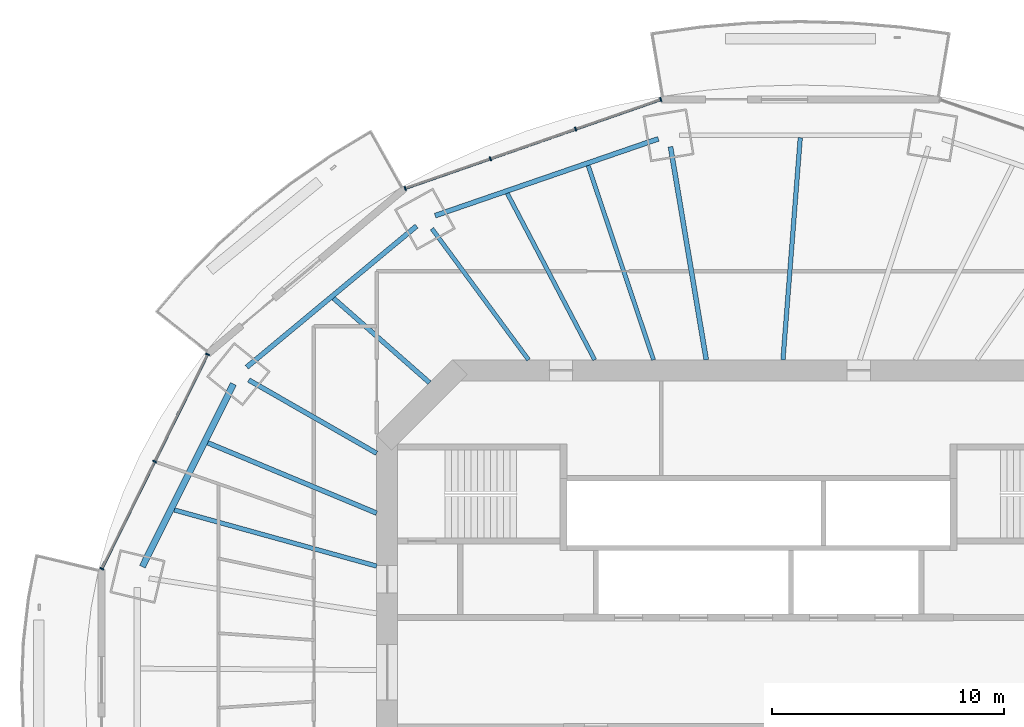
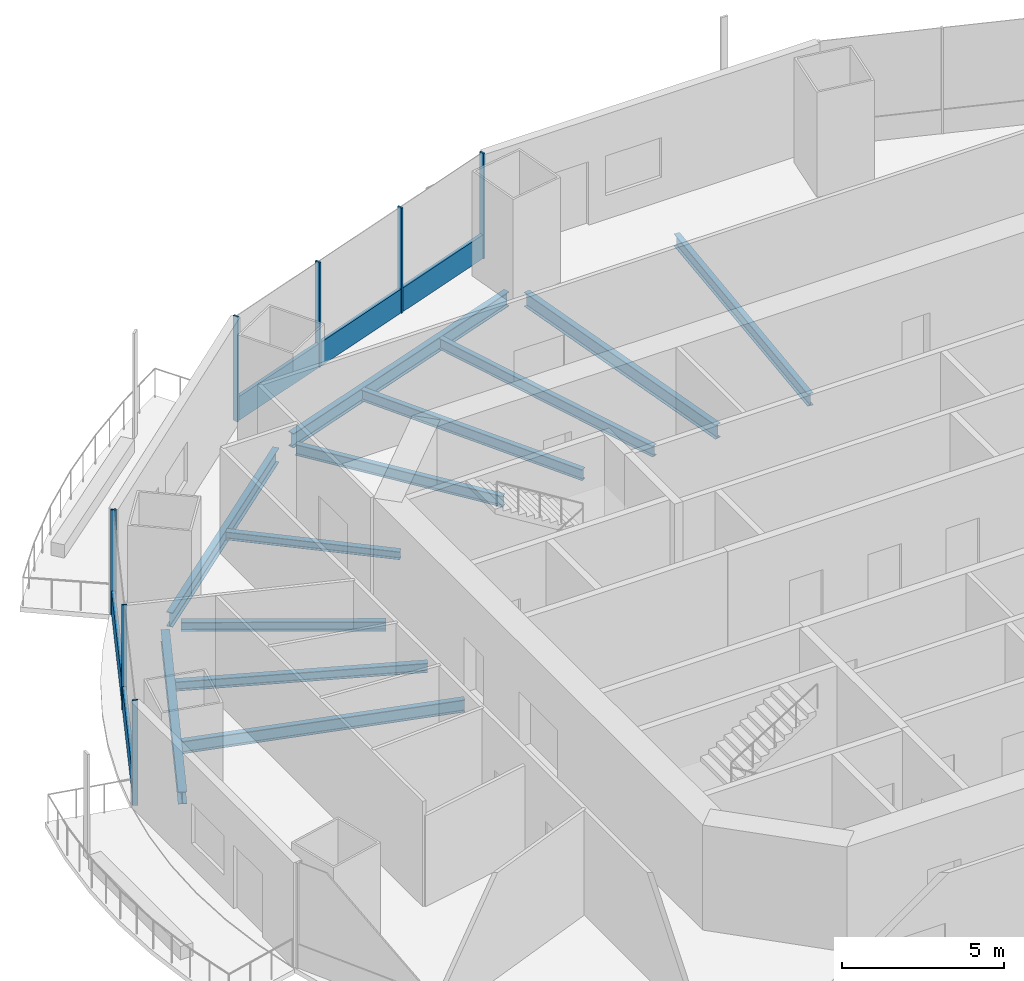
# One storey, part 6 of 19: 12 beams, 9 members, 2 elements without a shape of their own.
"""IFC4 building model written with IfcOpenShell, lengths in metres."""

import ifcopenshell
import ifcopenshell.guid

model = None  # the IFC model being written
_history = None  # IfcOwnerHistory: only IFC2X3 demands one
_inside = {}  # id of a spatial element -> (the spatial element, [elements in it])
_under = {}  # id of a project, library or spatial element -> (it, [spatial elements below it])
_declared = {}  # id of a project -> (the project, [libraries it declares])
_typed = {}  # id of a type object -> (the type object, [elements of that type])
_made_of = {}  # id of a material, layer set ... -> (it, [elements and type objects made of it])


def new_model(schema):
    """Start an empty IFC model of exactly this schema.

    Asked for "IFC4X3", IfcOpenShell would pick the latest addendum, in which some entities
    have other attributes; the version numbers below select the first issue.
    IFC2X3 requires an IfcOwnerHistory on every rooted entity: one is made here for all.
    """
    global model, _history
    if schema == "IFC4X3":
        model = ifcopenshell.file(schema_version=(4, 3, 0, 0))
    else:
        model = ifcopenshell.file(schema=schema)
    _inside.clear()
    _under.clear()
    _declared.clear()
    _typed.clear()
    _made_of.clear()
    _history = None
    if model.schema == "IFC2X3":
        org = make("IfcOrganization", Name="unknown")
        user = make(
            "IfcPersonAndOrganization",
            ThePerson=make("IfcPerson", FamilyName="unknown"),
            TheOrganization=org,
        )
        app = make(
            "IfcApplication",
            ApplicationDeveloper=org,
            Version="unknown",
            ApplicationFullName="unknown",
            ApplicationIdentifier="unknown",
        )
        _history = make(
            "IfcOwnerHistory",
            OwningUser=user,
            OwningApplication=app,
            ChangeAction="ADDED",
            CreationDate=0,
        )
    return model


def make(cls, **values):
    """One entity of the class cls with the attributes given. An attribute that is None is left unset."""
    return model.create_entity(
        cls, **{name: value for name, value in values.items() if value is not None}
    )


def rooted(cls, **values):
    """An entity with a GlobalId (a new one), such as an element, a storey or a relation."""
    return make(cls, GlobalId=ifcopenshell.guid.new(), OwnerHistory=_history, **values)


def si_unit(unit_type, name, prefix=None):
    """IfcSIUnit, for example si_unit("LENGTHUNIT", "METRE", prefix="MILLI")."""
    return make("IfcSIUnit", UnitType=unit_type, Prefix=prefix, Name=name)


def assignment(units):
    """IfcUnitAssignment: the units of a project."""
    return None if units is None else make("IfcUnitAssignment", Units=units)


def point(xyz):
    """IfcCartesianPoint."""
    return None if xyz is None else make("IfcCartesianPoint", Coordinates=xyz)


def direction(xyz):
    """IfcDirection."""
    return None if xyz is None else make("IfcDirection", DirectionRatios=xyz)


def frame(location, z_axis=None, x_axis=None):
    """IfcAxis2Placement3D, a coordinate frame: its origin and axes. An axis left out is left unset."""
    return make(
        "IfcAxis2Placement3D",
        Location=point(location),
        Axis=direction(z_axis),
        RefDirection=direction(x_axis),
    )


def frame_2d(location, x_axis=None):
    """IfcAxis2Placement2D, a coordinate frame in the plane: its origin and x axis."""
    return make(
        "IfcAxis2Placement2D", Location=point(location), RefDirection=direction(x_axis)
    )


def origin():
    """The frame at (0, 0, 0) with its axes left unset."""
    return frame((0.0, 0.0, 0.0))


def origin_2d():
    """The frame at (0, 0) in the plane with its x axis left unset."""
    return frame_2d((0.0, 0.0))


def place(relative_to, where):
    """IfcLocalPlacement: puts the frame where relative to a parent placement (None: the world)."""
    return make(
        "IfcLocalPlacement", PlacementRelTo=relative_to, RelativePlacement=where
    )


def context(
    kind, dimensions, precision=None, world=None, true_north=None, identifier=None
):
    """IfcGeometricRepresentationContext, for example the 3D "Model" context."""
    return make(
        "IfcGeometricRepresentationContext",
        ContextIdentifier=identifier,
        ContextType=kind,
        CoordinateSpaceDimension=dimensions,
        Precision=precision,
        WorldCoordinateSystem=world,
        TrueNorth=true_north,
    )


def subcontext(parent, identifier, kind, view, scale=None):
    """IfcGeometricRepresentationSubContext, for example "Body" below "Model"."""
    return make(
        "IfcGeometricRepresentationSubContext",
        ContextIdentifier=identifier,
        ContextType=kind,
        ParentContext=parent,
        TargetScale=scale,
        TargetView=view,
    )


def project(units=None, contexts=None):
    """IfcProject with its units and contexts."""
    return rooted(
        "IfcProject",
        Name="project",
        RepresentationContexts=contexts,
        UnitsInContext=assignment(units),
    )


def spatial(cls, under=None, at=None, **own):
    """A site, building, storey or space (cls), placed at a placement, below another one or the project."""
    s = rooted(cls, ObjectPlacement=at, **own)
    if under is not None:
        _under.setdefault(under.id(), (under, []))[1].append(s)
    return s


def profile(cls, at=None, kind="AREA", **sizes):
    """A parametric profile (cls). Its sizes go by their IFC names, for example OverallWidth=200.0."""
    return make(cls, ProfileType=kind, Position=at, **sizes)


def rectangle(**sizes):
    """IfcRectangleProfileDef."""
    return profile("IfcRectangleProfileDef", **sizes)


def i_section(**sizes):
    """IfcIShapeProfileDef."""
    return profile("IfcIShapeProfileDef", **sizes)


def extrude(swept, where, along, depth):
    """IfcExtrudedAreaSolid: the profile swept, set in the frame where, extruded along a direction by depth."""
    return make(
        "IfcExtrudedAreaSolid",
        SweptArea=swept,
        Position=where,
        ExtrudedDirection=direction(along),
        Depth=depth,
    )


def shape(context_of_items, identifier, shape_type, items):
    """IfcShapeRepresentation: the items that make up one representation, for example the "Body"."""
    return make(
        "IfcShapeRepresentation",
        ContextOfItems=context_of_items,
        RepresentationIdentifier=identifier,
        RepresentationType=shape_type,
        Items=items,
    )


def material(Name=None, Category=None):
    """IfcMaterial."""
    return make("IfcMaterial", Name=Name, Category=Category)


def material_profile(
    of_material, cross_section, Name=None, Category=None, Priority=None
):
    """IfcMaterialProfile: a cross section and its material."""
    return make(
        "IfcMaterialProfile",
        Name=Name,
        Material=of_material,
        Profile=cross_section,
        Priority=Priority,
        Category=Category,
    )


def profile_set(profiles, Name=None, composite=None):
    """IfcMaterialProfileSet."""
    return make(
        "IfcMaterialProfileSet",
        Name=Name,
        MaterialProfiles=profiles,
        CompositeProfile=composite,
    )


def made_of(thing, what):
    """Note that an element or type object is made of a material, layer set ...; save() writes the relation."""
    if what is not None:
        _made_of.setdefault(what.id(), (what, []))[1].append(thing)
    return thing


def type_object(cls, material=None, **own):
    """A type object (cls), such as IfcWallType, which elements share."""
    return made_of(rooted(cls, **own), material)


def element(
    cls,
    number,
    at=None,
    inside=None,
    cuts=None,
    type_object=None,
    material=None,
    context=None,
    identifier="Body",
    shape_type=None,
    held_by="IfcProductDefinitionShape",
    body=None,
    shapes=None,
    **own,
):
    """One element of the class cls, such as IfcWall. Its Tag is "e" and its number.

    at: its placement. inside: the storey or other place that contains it. cuts: it is an
    opening in that element (IfcRelVoidsElement). A single representation is given by context,
    identifier, shape_type and body (its items); several are given by shapes. held_by: the class
    of the entity that holds the representations. save() writes the other relations.
    """
    e = rooted(cls, Tag="e%d" % number, ObjectPlacement=at, **own)
    if body is not None:
        shapes = [shape(context, identifier, shape_type, body)]
    if shapes is not None:
        e.Representation = make(held_by, Representations=shapes)
    if inside is not None:
        _inside.setdefault(inside.id(), (inside, []))[1].append(e)
    if cuts is not None:
        rooted(
            "IfcRelVoidsElement", RelatingBuildingElement=cuts, RelatedOpeningElement=e
        )
    if type_object is not None:
        _typed.setdefault(type_object.id(), (type_object, []))[1].append(e)
    return made_of(e, material)


def aggregate(whole, parts):
    """IfcRelAggregates: a whole, such as a stair, and the parts it consists of."""
    return rooted("IfcRelAggregates", RelatingObject=whole, RelatedObjects=parts)


def save(model, path):
    """Write the relations noted so far, then the file.

    IfcRelAggregates (storeys below a building ...), IfcRelContainedInSpatialStructure (elements
    in a storey), IfcRelDefinesByType, IfcRelAssociatesMaterial and IfcRelDeclares: one each for
    every whole, place, type object, material and project.
    """
    for whole, parts in _under.values():
        aggregate(whole, parts)
    for where, things in _inside.values():
        rooted(
            "IfcRelContainedInSpatialStructure",
            RelatedElements=things,
            RelatingStructure=where,
        )
    for kind, things in _typed.values():
        rooted("IfcRelDefinesByType", RelatedObjects=things, RelatingType=kind)
    for what, things in _made_of.values():
        rooted("IfcRelAssociatesMaterial", RelatedObjects=things, RelatingMaterial=what)
    for by, libraries in _declared.values():
        rooted("IfcRelDeclares", RelatingContext=by, RelatedDefinitions=libraries)
    model.write(path)


model = new_model("IFC4")

# Units and contexts
model_context = context("Model", 3, precision=1e-05, world=origin(), true_north=direction((0.0, 1.0)))
body_context = subcontext(model_context, "Body", "Model", "MODEL_VIEW")
ifc_project = project(units=[si_unit("LENGTHUNIT", "METRE"), si_unit("AREAUNIT", "SQUARE_METRE"), si_unit("VOLUMEUNIT", "CUBIC_METRE"), si_unit("PLANEANGLEUNIT", "RADIAN"), si_unit("MASSUNIT", "GRAM", prefix="KILO")], contexts=[model_context])

# Site, building, storey
site_placement = place(None, origin())
site = spatial("IfcSite", under=ifc_project, at=site_placement, CompositionType="ELEMENT")
building_placement = place(site_placement, origin())
building = spatial("IfcBuilding", under=site, at=building_placement, Name="Marenthal Gate Tower", CompositionType="ELEMENT")
storey_placement = place(building_placement, frame((0.0, 0.0, 223.300048828125)))
storey = spatial("IfcBuildingStorey", under=building, at=storey_placement, Name="L49", CompositionType="ELEMENT", Elevation=223.300048828125)

# Curtain wall, members
ifc_material_1 = material(Name="Aluminium and glass", Category="aluminium")
curtain_wall_type = type_object("IfcCurtainWallType", Name="Curtain wall typical mid", PredefinedType="NOTDEFINED", material=ifc_material_1)
curtain_wall_1_placement = place(storey_placement, origin())
curtain_wall_1 = element("IfcCurtainWall", 1, at=curtain_wall_1_placement, inside=storey, type_object=curtain_wall_type, Name="Curtain wall L49 bay 5", PredefinedType="NOTDEFINED")
ifc_material_2 = material(Name="Aluminium", Category="aluminium")
ifc_material_profile_1 = material_profile(ifc_material_2, rectangle(XDim=0.179931640625, YDim=0.06005859375, at=origin_2d()), Name="60x180 aluminium mullion")
ifc_profile_set_1 = profile_set([ifc_material_profile_1], Name="Aluminium")
member_type_1 = type_object("IfcMemberType", Name="Mullion 60x180 typical mid", PredefinedType="MULLION", material=ifc_profile_set_1)
member_1_placement = place(storey_placement, frame((-4.21533203125, 24.66015625, 0.0), z_axis=(0.0, 0.0, 1.0), x_axis=(0.328467970612, -0.94451510961, 0.0)))
member_1 = element("IfcMember", 2, at=member_1_placement, type_object=member_type_1, Name="Mullion L49 bay 5.1", PredefinedType="MULLION", context=body_context, shape_type="SweptSolid", body=[
    extrude(rectangle(XDim=0.179931640625, YDim=0.06005859375, at=origin_2d()), origin(), (0.0, 0.0, 1.0), 3.969970703125),
])
member_2_placement = place(storey_placement, frame((-7.8837890625, 23.38427734375, 0.0), z_axis=(0.0, 0.0, 1.0), x_axis=(0.328467970612, -0.94451510961, 0.0)))
member_2 = element("IfcMember", 3, at=member_2_placement, type_object=member_type_1, Name="Mullion L49 bay 5.2", PredefinedType="MULLION", context=body_context, shape_type="SweptSolid", body=[
    extrude(rectangle(XDim=0.179931640625, YDim=0.06005859375, at=origin_2d()), origin(), (0.0, 0.0, 1.0), 3.969970703125),
])
member_3_placement = place(storey_placement, frame((-11.552490234375, 22.1083984375, 0.0), z_axis=(0.0, 0.0, 1.0), x_axis=(0.328467970612, -0.94451510961, 0.0)))
member_3 = element("IfcMember", 4, at=member_3_placement, type_object=member_type_1, Name="Mullion L49 bay 5.3", PredefinedType="MULLION", context=body_context, shape_type="SweptSolid", body=[
    extrude(rectangle(XDim=0.179931640625, YDim=0.06005859375, at=origin_2d()), origin(), (0.0, 0.0, 1.0), 3.969970703125),
])
member_4_placement = place(storey_placement, frame((-15.220947265625, 20.83251953125, 0.0), z_axis=(0.0, 0.0, 1.0), x_axis=(0.328467970612, -0.94451510961, 0.0)))
member_4 = element("IfcMember", 5, at=member_4_placement, type_object=member_type_1, Name="Mullion L49 bay 5.4", PredefinedType="MULLION", context=body_context, shape_type="SweptSolid", body=[
    extrude(rectangle(XDim=0.179931640625, YDim=0.06005859375, at=origin_2d()), origin(), (0.0, 0.0, 1.0), 3.969970703125),
])

curtain_wall_2_placement = place(storey_placement, origin())
curtain_wall_2 = element("IfcCurtainWall", 6, at=curtain_wall_2_placement, inside=storey, type_object=curtain_wall_type, Name="Curtain wall L49 bay 7", PredefinedType="NOTDEFINED")
member_5_placement = place(storey_placement, frame((-23.7294921875, 13.6875, 0.0), z_axis=(0.0, 0.0, 1.0), x_axis=(0.896797507361, -0.442441217329, 0.0)))
member_5 = element("IfcMember", 7, at=member_5_placement, type_object=member_type_1, Name="Mullion L49 bay 7.1", PredefinedType="MULLION", context=body_context, shape_type="SweptSolid", body=[
    extrude(rectangle(XDim=0.179931640625, YDim=0.06005859375, at=origin_2d()), origin(), (0.0, 0.0, 1.0), 3.969970703125),
])
member_6_placement = place(storey_placement, frame((-26.007080078125, 9.0703125, 0.0), z_axis=(0.0, 0.0, 1.0), x_axis=(0.896797507361, -0.442441217329, 0.0)))
member_6 = element("IfcMember", 8, at=member_6_placement, type_object=member_type_1, Name="Mullion L49 bay 7.2", PredefinedType="MULLION", context=body_context, shape_type="SweptSolid", body=[
    extrude(rectangle(XDim=0.179931640625, YDim=0.06005859375, at=origin_2d()), origin(), (0.0, 0.0, 1.0), 3.969970703125),
])
member_7_placement = place(storey_placement, frame((-28.284912109375, 4.453369140625, 0.0), z_axis=(0.0, 0.0, 1.0), x_axis=(0.896797507361, -0.442441217329, 0.0)))
member_7 = element("IfcMember", 9, at=member_7_placement, type_object=member_type_1, Name="Mullion L49 bay 7.3", PredefinedType="MULLION", context=body_context, shape_type="SweptSolid", body=[
    extrude(rectangle(XDim=0.179931640625, YDim=0.06005859375, at=origin_2d()), origin(), (0.0, 0.0, 1.0), 3.969970703125),
])

# Member
ifc_material_3 = material(Name="Aluminium", Category="aluminium")
ifc_material_profile_2 = material_profile(ifc_material_3, rectangle(XDim=0.1201171875, YDim=0.89990234375, at=origin_2d()), Name="120x900 aluminium transom")
ifc_profile_set_2 = profile_set([ifc_material_profile_2], Name="Aluminium")
member_type_2 = type_object("IfcMemberType", Name="Transom 120x900 typical mid", PredefinedType="USERDEFINED", material=ifc_profile_set_2)
member_8_placement = place(storey_placement, frame((-4.24365234375, 24.650146484375, 0.449951171875), z_axis=(-0.944516115654, -0.328465077703, 0.0), x_axis=(0.328465077703, -0.944516115654, 0.0)))
member_8 = element("IfcMember", 10, at=member_8_placement, type_object=member_type_2, Name="Transom L49 bay 5", ObjectType="TRANSOM", PredefinedType="USERDEFINED", context=body_context, shape_type="SweptSolid", body=[
    extrude(rectangle(XDim=0.1201171875, YDim=0.89990234375, at=origin_2d()), origin(), (0.0, 0.0, 1.0), 11.592041015625),
])

aggregate(curtain_wall_1, [member_1, member_2, member_3, member_4, member_8])

member_9_placement = place(storey_placement, frame((-23.74267578125, 13.660400390625, 0.449951171875), z_axis=(-0.442437279824, -0.896799449945, 0.0), x_axis=(0.896799449945, -0.442437279824, 0.0)))
member_9 = element("IfcMember", 11, at=member_9_placement, type_object=member_type_2, Name="Transom L49 bay 7", ObjectType="TRANSOM", PredefinedType="USERDEFINED", context=body_context, shape_type="SweptSolid", body=[
    extrude(rectangle(XDim=0.1201171875, YDim=0.89990234375, at=origin_2d()), origin(), (0.0, 0.0, 1.0), 10.236572265625),
])

aggregate(curtain_wall_2, [member_5, member_6, member_7, member_9])

# Beams
ifc_material_4 = material(Name="Steel S355", Category="steel")
ifc_material_profile_3 = material_profile(ifc_material_4, i_section(OverallWidth=0.202880859375, OverallDepth=0.302001953125, WebThickness=0.007568359375, FlangeThickness=0.01318359375, FilletRadius=0.0126953125, at=origin_2d()), Name="W310X60")
ifc_profile_set_3 = profile_set([ifc_material_profile_3], Name="Steel S355")
beam_type_1 = type_object("IfcBeamType", Name="W310X60 beam", PredefinedType="BEAM", material=ifc_profile_set_3)
beam_1_placement = place(storey_placement, frame((-18.306396484375, 16.101806640625, -0.3310546875), z_axis=(0.750879714516, -0.660438986075, 0.0), x_axis=(0.660438986075, 0.750879714516, 0.0)))
element("IfcBeam", 12, at=beam_1_placement, inside=storey, type_object=beam_type_1, Name="BM-L49-25", PredefinedType="BEAM", context=body_context, shape_type="SweptSolid", body=[
    extrude(i_section(OverallWidth=0.202880859375, OverallDepth=0.302001953125, WebThickness=0.007568359375, FlangeThickness=0.01318359375, FilletRadius=0.0126953125, at=origin_2d()), origin(), (0.0, 0.0, 1.0), 5.5068359375),
])
ifc_material_5 = material(Name="Steel S355", Category="steel")
ifc_material_profile_4 = material_profile(ifc_material_5, i_section(OverallWidth=0.205078125, OverallDepth=0.35302734375, WebThickness=0.009521484375, FlangeThickness=0.016845703125, FilletRadius=0.014892578125, at=origin_2d()), Name="W360X79")
ifc_profile_set_4 = profile_set([ifc_material_profile_4], Name="Steel S355")
beam_type_2 = type_object("IfcBeamType", Name="W360X79 beam", PredefinedType="BEAM", material=ifc_profile_set_4)
beam_2_placement = place(storey_placement, frame((-21.957763671875, 12.581787109375, -0.3564453125), z_axis=(0.867653207063, -0.497169902824, 0.0), x_axis=(0.497169902824, 0.867653207063, 0.0)))
element("IfcBeam", 13, at=beam_2_placement, inside=storey, type_object=beam_type_2, Name="BM-L49-07", PredefinedType="BEAM", context=body_context, shape_type="SweptSolid", body=[
    extrude(i_section(OverallWidth=0.205078125, OverallDepth=0.35302734375, WebThickness=0.009521484375, FlangeThickness=0.016845703125, FilletRadius=0.014892578125, at=origin_2d()), origin(), (0.0, 0.0, 1.0), 6.347900390625),
])
beam_3_placement = place(storey_placement, frame((-23.72216796875, 9.876708984375, -0.3564453125), z_axis=(0.92318966871, -0.384344683307, 0.0), x_axis=(0.384344683307, 0.92318966871, 0.0)))
element("IfcBeam", 14, at=beam_3_placement, inside=storey, type_object=beam_type_2, Name="BM-L49-26", PredefinedType="BEAM", context=body_context, shape_type="SweptSolid", body=[
    extrude(i_section(OverallWidth=0.205078125, OverallDepth=0.35302734375, WebThickness=0.009521484375, FlangeThickness=0.016845703125, FilletRadius=0.014892578125, at=origin_2d()), origin(), (0.0, 0.0, 1.0), 7.877197265625),
])
ifc_material_6 = material(Name="Steel S355", Category="steel")
ifc_material_profile_5 = material_profile(ifc_material_6, i_section(OverallWidth=0.180908203125, OverallDepth=0.4169921875, WebThickness=0.010986328125, FlangeThickness=0.018310546875, FilletRadius=0.01025390625, at=origin_2d()), Name="W410X85")
ifc_profile_set_5 = profile_set([ifc_material_profile_5], Name="Steel S355")
beam_type_3 = type_object("IfcBeamType", Name="W410X85 beam", PredefinedType="BEAM", material=ifc_profile_set_5)
beam_4_placement = place(storey_placement, frame((-14.070068359375, 19.099853515625, -0.388427734375), z_axis=(0.593108841301, -0.80512229032, 0.0), x_axis=(0.80512229032, 0.593108841301, 0.0)))
element("IfcBeam", 15, at=beam_4_placement, inside=storey, type_object=beam_type_3, Name="BM-L49-06", PredefinedType="BEAM", context=body_context, shape_type="SweptSolid", body=[
    extrude(i_section(OverallWidth=0.180908203125, OverallDepth=0.4169921875, WebThickness=0.010986328125, FlangeThickness=0.018310546875, FilletRadius=0.01025390625, at=origin_2d()), origin(), (0.0, 0.0, 1.0), 7.017333984375),
])
beam_5_placement = place(storey_placement, frame((-7.342529296875, 21.816162109375, -0.388427734375), z_axis=(0.318972820964, -0.947763862724, 0.0), x_axis=(0.947763862724, 0.318972820964, 0.0)))
element("IfcBeam", 16, at=beam_5_placement, inside=storey, type_object=beam_type_3, Name="BM-L49-23", PredefinedType="BEAM", context=body_context, shape_type="SweptSolid", body=[
    extrude(i_section(OverallWidth=0.180908203125, OverallDepth=0.4169921875, WebThickness=0.010986328125, FlangeThickness=0.018310546875, FilletRadius=0.01025390625, at=origin_2d()), origin(), (0.0, 0.0, 1.0), 8.827392578125),
])
beam_6_placement = place(storey_placement, frame((-10.82421875, 20.617919921875, -0.388427734375), z_axis=(0.46483389899, -0.885397902838, 0.0), x_axis=(0.885397902838, 0.46483389899, 0.0)))
element("IfcBeam", 17, at=beam_6_placement, inside=storey, type_object=beam_type_3, Name="BM-L49-24", PredefinedType="BEAM", context=body_context, shape_type="SweptSolid", body=[
    extrude(i_section(OverallWidth=0.180908203125, OverallDepth=0.4169921875, WebThickness=0.010986328125, FlangeThickness=0.018310546875, FilletRadius=0.01025390625, at=origin_2d()), origin(), (0.0, 0.0, 1.0), 8.095703125),
])
ifc_material_7 = material(Name="Steel S355", Category="steel")
ifc_material_profile_6 = material_profile(ifc_material_7, i_section(OverallWidth=0.279052734375, OverallDepth=0.4619140625, WebThickness=0.0107421875, FlangeThickness=0.017333984375, FilletRadius=0.010009765625, at=origin_2d()), Name="W460X113")
ifc_profile_set_6 = profile_set([ifc_material_profile_6], Name="Steel S355")
beam_type_4 = type_object("IfcBeamType", Name="W460X113 beam", PredefinedType="BEAM", material=ifc_profile_set_6)
beam_7_placement = place(storey_placement, frame((-22.613037109375, 12.413818359375, -0.4111328125), z_axis=(-0.446158339693, -0.894954041235, 0.0), x_axis=(0.894954041235, -0.446158339693, 0.0)))
element("IfcBeam", 18, at=beam_7_placement, inside=storey, type_object=beam_type_4, Name="BM-L49-47", PredefinedType="BEAM", context=body_context, shape_type="SweptSolid", body=[
    extrude(i_section(OverallWidth=0.279052734375, OverallDepth=0.4619140625, WebThickness=0.0107421875, FlangeThickness=0.017333984375, FilletRadius=0.010009765625, at=origin_2d()), origin(), (0.0, 0.0, 1.0), 8.794189453125),
])
ifc_material_8 = material(Name="Steel S355", Category="steel")
ifc_material_profile_7 = material_profile(ifc_material_8, i_section(OverallWidth=0.193115234375, OverallDepth=0.467041015625, WebThickness=0.011474609375, FlangeThickness=0.01904296875, FilletRadius=0.010009765625, at=origin_2d()), Name="W460X97")
ifc_profile_set_7 = profile_set([ifc_material_profile_7], Name="Steel S355")
beam_type_5 = type_object("IfcBeamType", Name="W460X97 beam", PredefinedType="BEAM", material=ifc_profile_set_7)
beam_8_placement = place(storey_placement, frame((1.791748046875, 23.014404296875, -0.41357421875), z_axis=(-0.077618911056, -0.996983101485, 0.0), x_axis=(0.996983101485, -0.077618911056, 0.0)))
element("IfcBeam", 19, at=beam_8_placement, inside=storey, type_object=beam_type_5, Name="BM-L49-22", PredefinedType="BEAM", context=body_context, shape_type="SweptSolid", body=[
    extrude(i_section(OverallWidth=0.193115234375, OverallDepth=0.467041015625, WebThickness=0.011474609375, FlangeThickness=0.01904296875, FilletRadius=0.010009765625, at=origin_2d()), origin(), (0.0, 0.0, 1.0), 9.593505859375),
])
beam_9_placement = place(storey_placement, frame((-25.1630859375, 6.986328125, -0.41357421875), z_axis=(0.96355000695, -0.267528286555, 0.0), x_axis=(0.267528286555, 0.96355000695, 0.0)))
element("IfcBeam", 20, at=beam_9_placement, inside=storey, type_object=beam_type_5, Name="BM-L49-27", PredefinedType="BEAM", context=body_context, shape_type="SweptSolid", body=[
    extrude(i_section(OverallWidth=0.193115234375, OverallDepth=0.467041015625, WebThickness=0.011474609375, FlangeThickness=0.01904296875, FilletRadius=0.010009765625, at=origin_2d()), origin(), (0.0, 0.0, 1.0), 9.042724609375),
])
ifc_material_9 = material(Name="Steel S355", Category="steel")
ifc_material_profile_8 = material_profile(ifc_material_9, i_section(OverallWidth=0.2099609375, OverallDepth=0.535888671875, WebThickness=0.010986328125, FlangeThickness=0.017333984375, FilletRadius=0.0126953125, at=origin_2d()), Name="W530X101")
ifc_profile_set_8 = profile_set([ifc_material_profile_8], Name="Steel S355")
beam_type_6 = type_object("IfcBeamType", Name="W530X101 beam", PredefinedType="BEAM", material=ifc_profile_set_8)
beam_10_placement = place(storey_placement, frame((-3.7958984375, 22.627197265625, -0.447998046875), z_axis=(0.165445506603, -0.986218933272, 0.0), x_axis=(0.986218933272, 0.165445506603, 0.0)))
element("IfcBeam", 21, at=beam_10_placement, inside=storey, type_object=beam_type_6, Name="BM-L49-05", PredefinedType="BEAM", context=body_context, shape_type="SweptSolid", body=[
    extrude(i_section(OverallWidth=0.2099609375, OverallDepth=0.535888671875, WebThickness=0.010986328125, FlangeThickness=0.017333984375, FilletRadius=0.0126953125, at=origin_2d()), origin(), (0.0, 0.0, 1.0), 9.305419921875),
])
ifc_material_10 = material(Name="Steel S355", Category="steel")
ifc_material_profile_9 = material_profile(ifc_material_10, i_section(OverallWidth=0.2119140625, OverallDepth=0.5439453125, WebThickness=0.01318359375, FlangeThickness=0.021240234375, FilletRadius=0.0126953125, at=origin_2d()), Name="W530X123")
ifc_profile_set_9 = profile_set([ifc_material_profile_9], Name="Steel S355")
beam_type_7 = type_object("IfcBeamType", Name="W530X123 beam", PredefinedType="BEAM", material=ifc_profile_set_9)
beam_11_placement = place(storey_placement, frame((-4.31689453125, 22.969482421875, -0.4521484375), z_axis=(-0.945567746604, -0.325425316443, 0.0), x_axis=(0.325425316443, -0.945567746604, 0.0)))
element("IfcBeam", 22, at=beam_11_placement, inside=storey, type_object=beam_type_7, Name="BM-L49-45", PredefinedType="BEAM", context=body_context, shape_type="SweptSolid", body=[
    extrude(i_section(OverallWidth=0.2119140625, OverallDepth=0.5439453125, WebThickness=0.01318359375, FlangeThickness=0.021240234375, FilletRadius=0.0126953125, at=origin_2d()), origin(), (0.0, 0.0, 1.0), 10.16845703125),
])
beam_12_placement = place(storey_placement, frame((-14.73046875, 19.210693359375, -0.4521484375), z_axis=(-0.769167841857, -0.639046814446, 0.0), x_axis=(0.639046814446, -0.769167841857, 0.0)))
element("IfcBeam", 23, at=beam_12_placement, inside=storey, type_object=beam_type_7, Name="BM-L49-46", PredefinedType="BEAM", context=body_context, shape_type="SweptSolid", body=[
    extrude(i_section(OverallWidth=0.2119140625, OverallDepth=0.5439453125, WebThickness=0.01318359375, FlangeThickness=0.021240234375, FilletRadius=0.0126953125, at=origin_2d()), origin(), (0.0, 0.0, 1.0), 9.505126953125),
])

save(model, "model.ifc")
